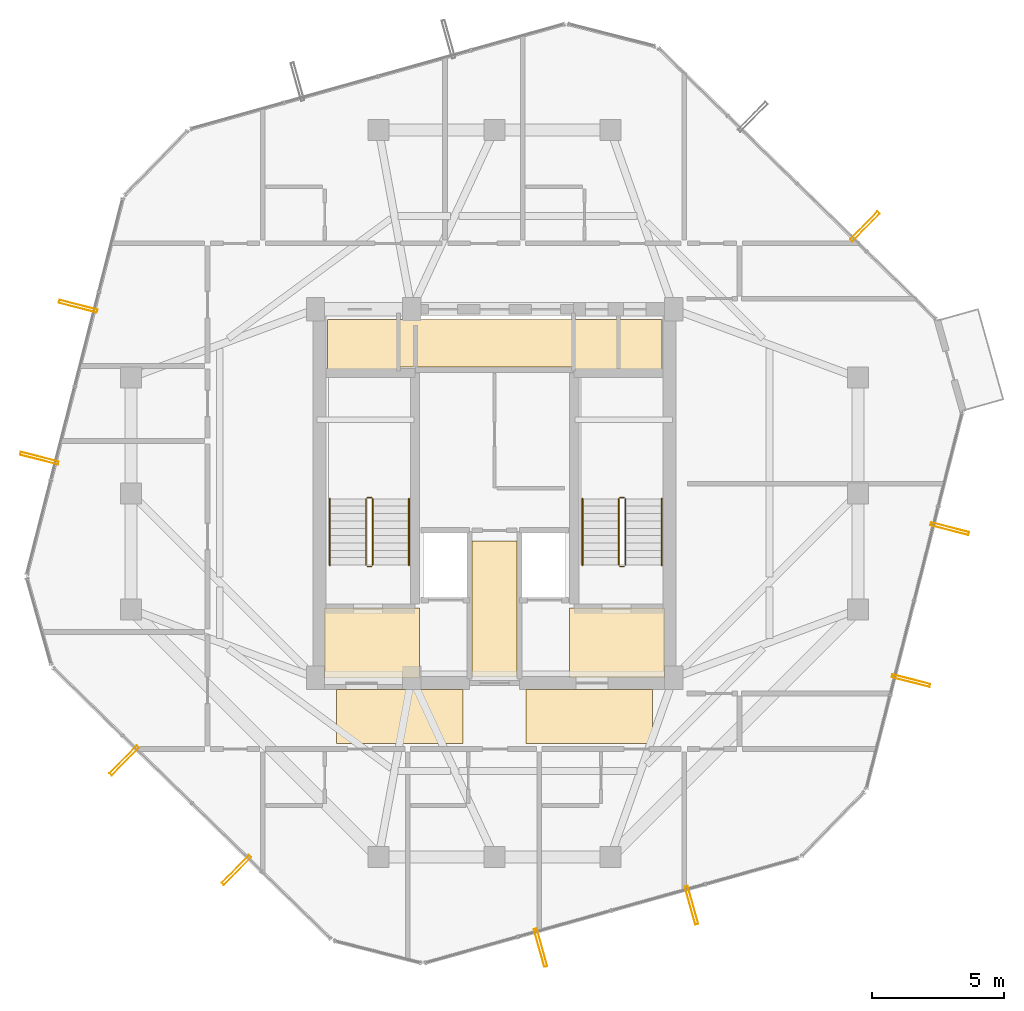
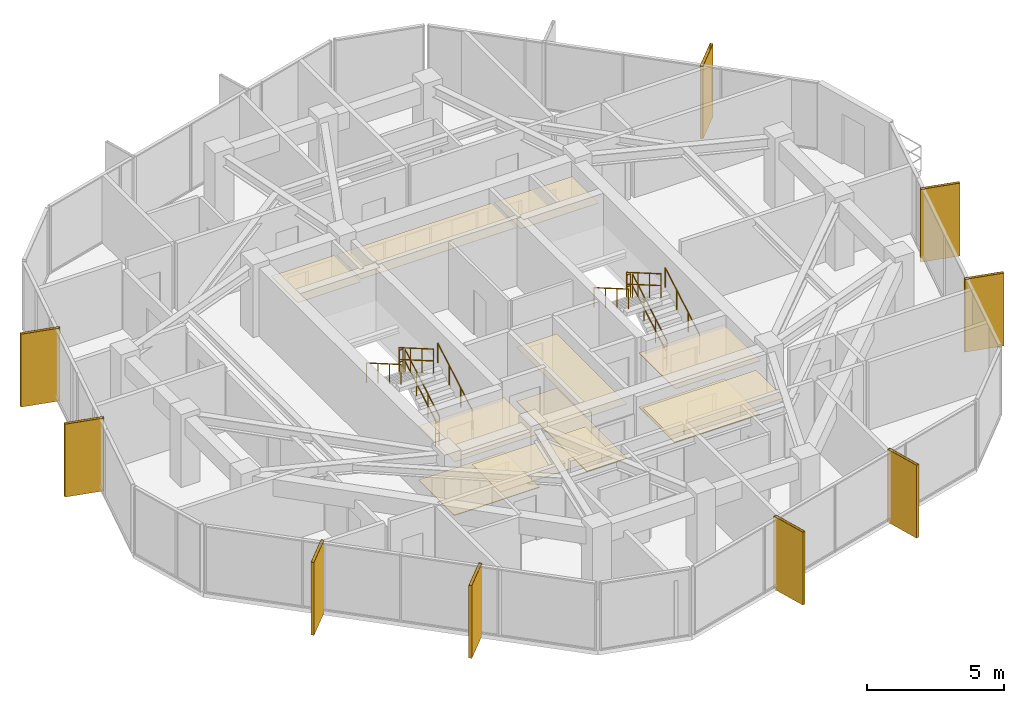
# One storey, part 28 of 29: 12 railings, 11 coverings, 9 shading devices.
"""IFC4 building model written with IfcOpenShell, lengths in metres."""

from ifc_helpers import new_model, si_unit, direction, frame, origin, origin_2d, place, context, subcontext, project, spatial, polyline, hollow_rectangle, circle, outline, extrude, material, layer, layer_set, material_profile, profile_set, type_object, element, save


model = new_model("IFC4")

# Units and contexts
model_context = context("Model", 3, precision=1e-05, world=origin(), true_north=direction((0.0, 1.0)))
body_context = subcontext(model_context, "Body", "Model", "MODEL_VIEW")
ifc_project = project(units=[si_unit("LENGTHUNIT", "METRE"), si_unit("AREAUNIT", "SQUARE_METRE"), si_unit("VOLUMEUNIT", "CUBIC_METRE"), si_unit("PLANEANGLEUNIT", "RADIAN"), si_unit("MASSUNIT", "GRAM", prefix="KILO")], contexts=[model_context])

# Site, building, storey
site_placement = place(None, origin())
site = spatial("IfcSite", under=ifc_project, at=site_placement, CompositionType="ELEMENT")
building_placement = place(site_placement, origin())
building = spatial("IfcBuilding", under=site, at=building_placement, Name="Veraguas Prism Commons", CompositionType="ELEMENT")
storey_placement = place(building_placement, frame((0.0, 0.0, 257.75)))
storey = spatial("IfcBuildingStorey", under=building, at=storey_placement, Name="L73", CompositionType="ELEMENT", Elevation=257.75)

# Shading devices
ifc_material_1 = material(Name="Anodised aluminium EN AW-6063 T6", Category="aluminium")
ifc_material_profile = material_profile(ifc_material_1, hollow_rectangle(XDim=0.1201171875, YDim=1.489990234375, WallThickness=0.006103515625, at=origin_2d()), Name="FIN120X1490X6")
ifc_profile_set = profile_set([ifc_material_profile], Name="Anodised aluminium EN AW-6063 T6")
shading_device_type = type_object("IfcShadingDeviceType", Name="Deep Pale-Metal Vertical Solar Fin 120x1490", PredefinedType="USERDEFINED", material=ifc_profile_set)
for number, where, z_axis, x_axis, name in (
    (1, (38.06298828125, 34.139404296875, -0.215087890625), (0.0, 0.0, 1.0), (-0.715447677779, 0.698666315462, 0.0), "Vertical Pale-Metal Solar Fin L73-F1A"),
    (2, (8.1875, 31.109130859375, -0.215087890625), (0.0, 0.0, 1.0), (-0.247333865765, -0.968930316816, 0.0), "Vertical Pale-Metal Solar Fin L73-F3A"),
    (3, (6.71484375, 25.339599609375, -0.215087890625), (0.0, 0.0, 1.0), (-0.247333865765, -0.968930316816, 0.0), "Vertical Pale-Metal Solar Fin L73-F3B"),
    (4, (9.93701171875, 13.860595703125, -0.215087890625), (0.0, 0.0, 1.0), (0.715447677779, -0.698666315462, 0.0), "Vertical Pale-Metal Solar Fin L73-F4A"),
    (5, (14.197265625, 9.700439453125, -0.215087890625), (0.0, 0.0, 1.0), (0.715447677779, -0.698666315462, 0.0), "Vertical Pale-Metal Solar Fin L73-F4B"),
    (6, (25.74951171875, 6.75146484375, -0.215087890625), (0.0, 0.0, 1.0), (0.962785201742, 0.27026774744, 0.0), "Vertical Pale-Metal Solar Fin L73-F5A"),
    (7, (31.482421875, 8.36083984375, -0.215087890625), (0.0, 0.0, 1.0), (0.962785201742, 0.27026774744, 0.0), "Vertical Pale-Metal Solar Fin L73-F5B"),
    (8, (39.8125, 16.890869140625, -0.215087890625), (0.0, 0.0, 1.0), (0.247333865765, 0.968930316816, 0.0), "Vertical Pale-Metal Solar Fin L73-F6A"),
    (9, (41.28515625, 22.660400390625, -0.215087890625), (0.0, 0.0, 1.0), (0.247333865765, 0.968930316816, 0.0), "Vertical Pale-Metal Solar Fin L73-F6B"),
):
    element("IfcShadingDevice", number, at=place(storey_placement, frame(where, z_axis=z_axis, x_axis=x_axis)), inside=storey, type_object=shading_device_type, Name=name, ObjectType="FIN", PredefinedType="USERDEFINED", context=body_context, shape_type="SweptSolid", body=[
        extrude(hollow_rectangle(XDim=0.1201171875, YDim=1.489990234375, WallThickness=0.006103515625, at=origin_2d()), origin(), (0.0, 0.0, 1.0), 3.25),
    ])

# Coverings
ifc_material_2 = material(Name="Acoustic gypsum board")
ifc_layer_1 = layer(ifc_material_2, 0.02490234375, Name="Perforated Acoustic Ceiling Tile 25")
ifc_layer_set_1 = layer_set([ifc_layer_1], Name="Acoustic gypsum board")
covering_type_1 = type_object("IfcCoveringType", Name="Perforated Acoustic Ceiling Tile 25", PredefinedType="USERDEFINED", material=ifc_layer_set_1)
covering_1_placement = place(storey_placement, frame((0.0, 0.0, 2.425048828125)))
element("IfcCovering", 10, at=covering_1_placement, inside=storey, type_object=covering_type_1, Name="East Lobby Acoustic Ceiling L73", ObjectType="ACOUSTIC CEILING", PredefinedType="USERDEFINED", context=body_context, shape_type="SweptSolid", body=[
    extrude(outline(polyline([(26.85009765625, 17.0), (30.449951171875, 17.0), (30.449951171875, 19.64990234375), (26.85009765625, 19.64990234375), (26.85009765625, 17.0)])), origin(), (0.0, 0.0, 1.0), 0.02490234375),
])
ifc_material_3 = material(Name="Terrazzo stone finish", Category="masonry")
ifc_layer_2 = layer(ifc_material_3, 0.030029296875, Name="Polished Terrazzo Floor Finish 30", Category="masonry")
ifc_layer_set_2 = layer_set([ifc_layer_2], Name="Terrazzo stone finish")
covering_type_2 = type_object("IfcCoveringType", Name="Polished Terrazzo Floor Finish 30", PredefinedType="FLOORING", material=ifc_layer_set_2)
covering_2_placement = place(storey_placement, origin())
element("IfcCovering", 11, at=covering_2_placement, inside=storey, type_object=covering_type_2, Name="Terrazzo Lobby Flooring L73", PredefinedType="FLOORING", context=body_context, shape_type="SweptSolid", body=[
    extrude(outline(polyline([(23.14990234375, 17.050048828125), (24.85009765625, 17.050048828125), (24.85009765625, 22.199951171875), (23.14990234375, 22.199951171875), (23.14990234375, 17.050048828125)])), origin(), (0.0, 0.0, 1.0), 0.030029296875),
])
covering_3_placement = place(storey_placement, origin())
element("IfcCovering", 12, at=covering_3_placement, inside=storey, type_object=covering_type_2, Name="West FF Lobby Terrazzo Flooring L73", PredefinedType="FLOORING", context=body_context, shape_type="SweptSolid", body=[
    extrude(outline(polyline([(17.550048828125, 17.050048828125), (21.14990234375, 17.050048828125), (21.14990234375, 19.64990234375), (17.550048828125, 19.64990234375), (17.550048828125, 17.050048828125)])), origin(), (0.0, 0.0, 1.0), 0.030029296875),
])
covering_4_placement = place(storey_placement, origin())
element("IfcCovering", 13, at=covering_4_placement, inside=storey, type_object=covering_type_2, Name="East FF Lobby Terrazzo Flooring L73", PredefinedType="FLOORING", context=body_context, shape_type="SweptSolid", body=[
    extrude(outline(polyline([(26.85009765625, 17.050048828125), (30.449951171875, 17.050048828125), (30.449951171875, 19.64990234375), (26.85009765625, 19.64990234375), (26.85009765625, 17.050048828125)])), origin(), (0.0, 0.0, 1.0), 0.030029296875),
])

# Railings
ifc_material_4 = material(Name="Stainless steel AISI 316", Category="steel")
railing_type_1 = type_object("IfcRailingType", Name="Stair and Ramp Stainless Handrail 900", PredefinedType="HANDRAIL", material=ifc_material_4)
railing_1_placement = place(storey_placement, frame((20.75, 21.280029296875, 0.16259765625)))
element("IfcRailing", 14, at=railing_1_placement, inside=storey, type_object=railing_type_1, Name="Stair Handrail ST-01 L73-1", PredefinedType="HANDRAIL", context=body_context, shape_type="SweptSolid", body=[
    extrude(circle(Radius=0.02392578125, at=origin_2d()), frame((0.0, 0.0, 0.8759765625), z_axis=(0.0, 0.864913338283, 0.50192122615), x_axis=(-1.0, 0.0, 0.0)), (0.0, 0.0, 1.0), 2.91357421875),
    extrude(circle(Radius=0.02099609375, at=origin_2d()), origin(), (0.0, 0.0, 1.0), 0.851806640625),
    extrude(circle(Radius=0.02099609375, at=origin_2d()), frame((0.0, 0.840087890625, 0.487548828125)), (0.0, 0.0, 1.0), 0.851806640625),
    extrude(circle(Radius=0.02099609375, at=origin_2d()), frame((0.0, 1.679931640625, 0.974853515625)), (0.0, 0.0, 1.0), 0.851806640625),
    extrude(circle(Radius=0.02099609375, at=origin_2d()), frame((0.0, 2.52001953125, 1.46240234375)), (0.0, 0.0, 1.0), 0.851806640625),
])
railing_2_placement = place(storey_placement, frame((17.739990234375, 23.800048828125, 1.78759765625)))
element("IfcRailing", 15, at=railing_2_placement, inside=storey, type_object=railing_type_1, Name="Stair Handrail ST-01 L73-2", PredefinedType="HANDRAIL", context=body_context, shape_type="SweptSolid", body=[
    extrude(circle(Radius=0.02392578125, at=origin_2d()), frame((0.0, 0.0, 0.8759765625), z_axis=(0.0, -0.864913338283, 0.50192122615), x_axis=(1.0, 0.0, 0.0)), (0.0, 0.0, 1.0), 2.91357421875),
    extrude(circle(Radius=0.02099609375, at=origin_2d()), origin(), (0.0, 0.0, 1.0), 0.851806640625),
    extrude(circle(Radius=0.02099609375, at=origin_2d()), frame((0.0, -0.840087890625, 0.487548828125)), (0.0, 0.0, 1.0), 0.851806640625),
    extrude(circle(Radius=0.02099609375, at=origin_2d()), frame((0.0, -1.679931640625, 0.974853515625)), (0.0, 0.0, 1.0), 0.851806640625),
    extrude(circle(Radius=0.02099609375, at=origin_2d()), frame((0.0, -2.52001953125, 1.46240234375)), (0.0, 0.0, 1.0), 0.851806640625),
])
railing_3_placement = place(storey_placement, frame((30.35009765625, 21.280029296875, 0.16259765625)))
element("IfcRailing", 16, at=railing_3_placement, inside=storey, type_object=railing_type_1, Name="Stair Handrail ST-02 L73-1", PredefinedType="HANDRAIL", context=body_context, shape_type="SweptSolid", body=[
    extrude(circle(Radius=0.02392578125, at=origin_2d()), frame((0.0, 0.0, 0.8759765625), z_axis=(0.0, 0.864913338283, 0.50192122615), x_axis=(-1.0, 0.0, 0.0)), (0.0, 0.0, 1.0), 2.91357421875),
    extrude(circle(Radius=0.02099609375, at=origin_2d()), origin(), (0.0, 0.0, 1.0), 0.851806640625),
    extrude(circle(Radius=0.02099609375, at=origin_2d()), frame((0.0, 0.840087890625, 0.487548828125)), (0.0, 0.0, 1.0), 0.851806640625),
    extrude(circle(Radius=0.02099609375, at=origin_2d()), frame((0.0, 1.679931640625, 0.974853515625)), (0.0, 0.0, 1.0), 0.851806640625),
    extrude(circle(Radius=0.02099609375, at=origin_2d()), frame((0.0, 2.52001953125, 1.46240234375)), (0.0, 0.0, 1.0), 0.851806640625),
])
railing_4_placement = place(storey_placement, frame((27.340087890625, 23.800048828125, 1.78759765625)))
element("IfcRailing", 17, at=railing_4_placement, inside=storey, type_object=railing_type_1, Name="Stair Handrail ST-02 L73-2", PredefinedType="HANDRAIL", context=body_context, shape_type="SweptSolid", body=[
    extrude(circle(Radius=0.02392578125, at=origin_2d()), frame((0.0, 0.0, 0.8759765625), z_axis=(0.0, -0.864913338283, 0.50192122615), x_axis=(1.0, 0.0, 0.0)), (0.0, 0.0, 1.0), 2.91357421875),
    extrude(circle(Radius=0.02099609375, at=origin_2d()), origin(), (0.0, 0.0, 1.0), 0.851806640625),
    extrude(circle(Radius=0.02099609375, at=origin_2d()), frame((0.0, -0.840087890625, 0.487548828125)), (0.0, 0.0, 1.0), 0.851806640625),
    extrude(circle(Radius=0.02099609375, at=origin_2d()), frame((0.0, -1.679931640625, 0.974853515625)), (0.0, 0.0, 1.0), 0.851806640625),
    extrude(circle(Radius=0.02099609375, at=origin_2d()), frame((0.0, -2.52001953125, 1.46240234375)), (0.0, 0.0, 1.0), 0.851806640625),
])
railing_type_2 = type_object("IfcRailingType", Name="Stairwell Safety Guardrail 1100", PredefinedType="GUARDRAIL", material=ifc_material_4)
railing_5_placement = place(storey_placement, frame((19.3701171875, 21.280029296875, 0.16259765625)))
element("IfcRailing", 18, at=railing_5_placement, inside=storey, type_object=railing_type_2, Name="Stair Guard ST-01 L73-1", PredefinedType="GUARDRAIL", context=body_context, shape_type="SweptSolid", body=[
    extrude(circle(Radius=0.02392578125, at=origin_2d()), frame((0.0, 0.0, 1.076171875), z_axis=(0.0, 0.864913338283, 0.50192122615), x_axis=(-1.0, 0.0, 0.0)), (0.0, 0.0, 1.0), 2.91357421875),
    extrude(circle(Radius=0.02392578125, at=origin_2d()), frame((0.0, 0.0, 0.550048828125), z_axis=(0.0, 0.864913338283, 0.50192122615), x_axis=(-1.0, 0.0, 0.0)), (0.0, 0.0, 1.0), 2.91357421875),
    extrude(circle(Radius=0.02099609375, at=origin_2d()), origin(), (0.0, 0.0, 1.0), 1.052001953125),
    extrude(circle(Radius=0.02099609375, at=origin_2d()), frame((0.0, 0.840087890625, 0.487548828125)), (0.0, 0.0, 1.0), 1.052001953125),
    extrude(circle(Radius=0.02099609375, at=origin_2d()), frame((0.0, 1.679931640625, 0.974853515625)), (0.0, 0.0, 1.0), 1.052001953125),
    extrude(circle(Radius=0.02099609375, at=origin_2d()), frame((0.0, 2.52001953125, 1.46240234375)), (0.0, 0.0, 1.0), 1.052001953125),
])
railing_6_placement = place(storey_placement, frame((19.320068359375, 23.85009765625, 1.625)))
element("IfcRailing", 19, at=railing_6_placement, inside=storey, type_object=railing_type_2, Name="Stair Guard ST-01 L73-2", PredefinedType="GUARDRAIL", context=body_context, shape_type="SweptSolid", body=[
    extrude(circle(Radius=0.02392578125, at=origin_2d()), frame((0.0, 0.0, 1.076171875), z_axis=(-1.0, 0.0, 0.0), x_axis=(0.0, -1.0, 0.0)), (0.0, 0.0, 1.0), 0.150146484375),
    extrude(circle(Radius=0.02392578125, at=origin_2d()), frame((0.0, 0.0, 0.550048828125), z_axis=(-1.0, 0.0, 0.0), x_axis=(0.0, -1.0, 0.0)), (0.0, 0.0, 1.0), 0.150146484375),
    extrude(circle(Radius=0.02099609375, at=origin_2d()), origin(), (0.0, 0.0, 1.0), 1.052001953125),
    extrude(circle(Radius=0.02099609375, at=origin_2d()), frame((-0.150146484375, 0.0, 0.0)), (0.0, 0.0, 1.0), 1.052001953125),
])
railing_7_placement = place(storey_placement, frame((19.1201171875, 23.800048828125, 1.78759765625)))
element("IfcRailing", 20, at=railing_7_placement, inside=storey, type_object=railing_type_2, Name="Stair Guard ST-01 L73-3", PredefinedType="GUARDRAIL", context=body_context, shape_type="SweptSolid", body=[
    extrude(circle(Radius=0.02392578125, at=origin_2d()), frame((0.0, 0.0, 1.076171875), z_axis=(0.0, -0.864913338283, 0.50192122615), x_axis=(1.0, 0.0, 0.0)), (0.0, 0.0, 1.0), 2.91357421875),
    extrude(circle(Radius=0.02392578125, at=origin_2d()), frame((0.0, 0.0, 0.550048828125), z_axis=(0.0, -0.864913338283, 0.50192122615), x_axis=(1.0, 0.0, 0.0)), (0.0, 0.0, 1.0), 2.91357421875),
    extrude(circle(Radius=0.02099609375, at=origin_2d()), origin(), (0.0, 0.0, 1.0), 1.052001953125),
    extrude(circle(Radius=0.02099609375, at=origin_2d()), frame((0.0, -0.840087890625, 0.487548828125)), (0.0, 0.0, 1.0), 1.052001953125),
    extrude(circle(Radius=0.02099609375, at=origin_2d()), frame((0.0, -1.679931640625, 0.974853515625)), (0.0, 0.0, 1.0), 1.052001953125),
    extrude(circle(Radius=0.02099609375, at=origin_2d()), frame((0.0, -2.52001953125, 1.46240234375)), (0.0, 0.0, 1.0), 1.052001953125),
])
railing_8_placement = place(storey_placement, frame((19.320068359375, 21.22998046875, 0.0)))
element("IfcRailing", 21, at=railing_8_placement, inside=storey, type_object=railing_type_2, Name="Stair Guard ST-01 L73-4", PredefinedType="GUARDRAIL", context=body_context, shape_type="SweptSolid", body=[
    extrude(circle(Radius=0.02392578125, at=origin_2d()), frame((0.0, 0.0, 1.076171875), z_axis=(-1.0, 0.0, 0.0), x_axis=(0.0, -1.0, 0.0)), (0.0, 0.0, 1.0), 0.150146484375),
    extrude(circle(Radius=0.02392578125, at=origin_2d()), frame((0.0, 0.0, 0.550048828125), z_axis=(-1.0, 0.0, 0.0), x_axis=(0.0, -1.0, 0.0)), (0.0, 0.0, 1.0), 0.150146484375),
    extrude(circle(Radius=0.02099609375, at=origin_2d()), origin(), (0.0, 0.0, 1.0), 1.052001953125),
    extrude(circle(Radius=0.02099609375, at=origin_2d()), frame((-0.150146484375, 0.0, 0.0)), (0.0, 0.0, 1.0), 1.052001953125),
])
railing_9_placement = place(storey_placement, frame((28.969970703125, 21.280029296875, 0.16259765625)))
element("IfcRailing", 22, at=railing_9_placement, inside=storey, type_object=railing_type_2, Name="Stair Guard ST-02 L73-1", PredefinedType="GUARDRAIL", context=body_context, shape_type="SweptSolid", body=[
    extrude(circle(Radius=0.02392578125, at=origin_2d()), frame((0.0, 0.0, 1.076171875), z_axis=(0.0, 0.864913338283, 0.50192122615), x_axis=(-1.0, 0.0, 0.0)), (0.0, 0.0, 1.0), 2.91357421875),
    extrude(circle(Radius=0.02392578125, at=origin_2d()), frame((0.0, 0.0, 0.550048828125), z_axis=(0.0, 0.864913338283, 0.50192122615), x_axis=(-1.0, 0.0, 0.0)), (0.0, 0.0, 1.0), 2.91357421875),
    extrude(circle(Radius=0.02099609375, at=origin_2d()), origin(), (0.0, 0.0, 1.0), 1.052001953125),
    extrude(circle(Radius=0.02099609375, at=origin_2d()), frame((0.0, 0.840087890625, 0.487548828125)), (0.0, 0.0, 1.0), 1.052001953125),
    extrude(circle(Radius=0.02099609375, at=origin_2d()), frame((0.0, 1.679931640625, 0.974853515625)), (0.0, 0.0, 1.0), 1.052001953125),
    extrude(circle(Radius=0.02099609375, at=origin_2d()), frame((0.0, 2.52001953125, 1.46240234375)), (0.0, 0.0, 1.0), 1.052001953125),
])
railing_10_placement = place(storey_placement, frame((28.919921875, 23.85009765625, 1.625)))
element("IfcRailing", 23, at=railing_10_placement, inside=storey, type_object=railing_type_2, Name="Stair Guard ST-02 L73-2", PredefinedType="GUARDRAIL", context=body_context, shape_type="SweptSolid", body=[
    extrude(circle(Radius=0.02392578125, at=origin_2d()), frame((0.0, 0.0, 1.076171875), z_axis=(-1.0, 0.0, 0.0), x_axis=(0.0, -1.0, 0.0)), (0.0, 0.0, 1.0), 0.14990234375),
    extrude(circle(Radius=0.02392578125, at=origin_2d()), frame((0.0, 0.0, 0.550048828125), z_axis=(-1.0, 0.0, 0.0), x_axis=(0.0, -1.0, 0.0)), (0.0, 0.0, 1.0), 0.14990234375),
    extrude(circle(Radius=0.02099609375, at=origin_2d()), origin(), (0.0, 0.0, 1.0), 1.052001953125),
    extrude(circle(Radius=0.02099609375, at=origin_2d()), frame((-0.14990234375, 0.0, 0.0)), (0.0, 0.0, 1.0), 1.052001953125),
])
railing_11_placement = place(storey_placement, frame((28.719970703125, 23.800048828125, 1.78759765625)))
element("IfcRailing", 24, at=railing_11_placement, inside=storey, type_object=railing_type_2, Name="Stair Guard ST-02 L73-3", PredefinedType="GUARDRAIL", context=body_context, shape_type="SweptSolid", body=[
    extrude(circle(Radius=0.02392578125, at=origin_2d()), frame((0.0, 0.0, 1.076171875), z_axis=(0.0, -0.864913338283, 0.50192122615), x_axis=(1.0, 0.0, 0.0)), (0.0, 0.0, 1.0), 2.91357421875),
    extrude(circle(Radius=0.02392578125, at=origin_2d()), frame((0.0, 0.0, 0.550048828125), z_axis=(0.0, -0.864913338283, 0.50192122615), x_axis=(1.0, 0.0, 0.0)), (0.0, 0.0, 1.0), 2.91357421875),
    extrude(circle(Radius=0.02099609375, at=origin_2d()), origin(), (0.0, 0.0, 1.0), 1.052001953125),
    extrude(circle(Radius=0.02099609375, at=origin_2d()), frame((0.0, -0.840087890625, 0.487548828125)), (0.0, 0.0, 1.0), 1.052001953125),
    extrude(circle(Radius=0.02099609375, at=origin_2d()), frame((0.0, -1.679931640625, 0.974853515625)), (0.0, 0.0, 1.0), 1.052001953125),
    extrude(circle(Radius=0.02099609375, at=origin_2d()), frame((0.0, -2.52001953125, 1.46240234375)), (0.0, 0.0, 1.0), 1.052001953125),
])
railing_12_placement = place(storey_placement, frame((28.919921875, 21.22998046875, 0.0)))
element("IfcRailing", 25, at=railing_12_placement, inside=storey, type_object=railing_type_2, Name="Stair Guard ST-02 L73-4", PredefinedType="GUARDRAIL", context=body_context, shape_type="SweptSolid", body=[
    extrude(circle(Radius=0.02392578125, at=origin_2d()), frame((0.0, 0.0, 1.076171875), z_axis=(-1.0, 0.0, 0.0), x_axis=(0.0, -1.0, 0.0)), (0.0, 0.0, 1.0), 0.14990234375),
    extrude(circle(Radius=0.02392578125, at=origin_2d()), frame((0.0, 0.0, 0.550048828125), z_axis=(-1.0, 0.0, 0.0), x_axis=(0.0, -1.0, 0.0)), (0.0, 0.0, 1.0), 0.14990234375),
    extrude(circle(Radius=0.02099609375, at=origin_2d()), origin(), (0.0, 0.0, 1.0), 1.052001953125),
    extrude(circle(Radius=0.02099609375, at=origin_2d()), frame((-0.14990234375, 0.0, 0.0)), (0.0, 0.0, 1.0), 1.052001953125),
])

# Coverings
ifc_layer_3 = layer(ifc_material_2, 0.02001953125, Name="Suspended Gypsum Ceiling 20")
ifc_layer_set_3 = layer_set([ifc_layer_3], Name="Acoustic gypsum board")
covering_type_3 = type_object("IfcCoveringType", Name="Suspended Gypsum Ceiling 20", PredefinedType="CEILING", material=ifc_layer_set_3)
covering_5_placement = place(storey_placement, frame((0.0, 0.0, 2.429931640625)))
element("IfcCovering", 26, at=covering_5_placement, inside=storey, type_object=covering_type_3, Name="West Lobby Suspended Gypsum Ceiling L73", PredefinedType="CEILING", context=body_context, shape_type="SweptSolid", body=[
    extrude(outline(polyline([(17.550048828125, 17.0), (21.14990234375, 17.0), (21.14990234375, 19.64990234375), (17.550048828125, 19.64990234375), (17.550048828125, 17.0)])), origin(), (0.0, 0.0, 1.0), 0.02001953125),
])
covering_6_placement = place(storey_placement, frame((0.0, 0.0, 2.429931640625)))
element("IfcCovering", 27, at=covering_6_placement, inside=storey, type_object=covering_type_3, Name="Core Lobby Acoustic Ceiling L73-1", PredefinedType="CEILING", context=body_context, shape_type="SweptSolid", body=[
    extrude(outline(polyline([(18.0, 14.5), (22.800048828125, 14.5), (22.800048828125, 16.550048828125), (18.0, 16.550048828125), (18.0, 14.5)])), origin(), (0.0, 0.0, 1.0), 0.02001953125),
])
covering_7_placement = place(storey_placement, frame((0.0, 0.0, 2.429931640625)))
element("IfcCovering", 28, at=covering_7_placement, inside=storey, type_object=covering_type_3, Name="Core Lobby Acoustic Ceiling L73-2", PredefinedType="CEILING", context=body_context, shape_type="SweptSolid", body=[
    extrude(outline(polyline([(25.199951171875, 14.5), (30.0, 14.5), (30.0, 16.550048828125), (25.199951171875, 16.550048828125), (25.199951171875, 14.5)])), origin(), (0.0, 0.0, 1.0), 0.02001953125),
])
covering_8_placement = place(storey_placement, frame((0.0, 0.0, 2.429931640625)))
element("IfcCovering", 29, at=covering_8_placement, inside=storey, type_object=covering_type_3, Name="Core Lobby Acoustic Ceiling L73-3", PredefinedType="CEILING", context=body_context, shape_type="SweptSolid", body=[
    extrude(outline(polyline([(23.14990234375, 17.050048828125), (24.85009765625, 17.050048828125), (24.85009765625, 22.199951171875), (23.14990234375, 22.199951171875), (23.14990234375, 17.050048828125)])), origin(), (0.0, 0.0, 1.0), 0.02001953125),
])
covering_9_placement = place(storey_placement, frame((0.0, 0.0, 2.429931640625)))
element("IfcCovering", 30, at=covering_9_placement, inside=storey, type_object=covering_type_3, Name="Core Lobby Acoustic Ceiling L73-4", PredefinedType="CEILING", context=body_context, shape_type="SweptSolid", body=[
    extrude(outline(polyline([(17.64990234375, 28.64990234375), (20.300048828125, 28.64990234375), (20.300048828125, 30.60009765625), (17.64990234375, 30.60009765625), (17.64990234375, 28.64990234375)])), origin(), (0.0, 0.0, 1.0), 0.02001953125),
])
covering_10_placement = place(storey_placement, frame((0.0, 0.0, 2.429931640625)))
element("IfcCovering", 31, at=covering_10_placement, inside=storey, type_object=covering_type_3, Name="Core Lobby Acoustic Ceiling L73-5", PredefinedType="CEILING", context=body_context, shape_type="SweptSolid", body=[
    extrude(outline(polyline([(27.050048828125, 28.64990234375), (30.35009765625, 28.64990234375), (30.35009765625, 30.60009765625), (27.050048828125, 30.60009765625), (27.050048828125, 28.64990234375)])), origin(), (0.0, 0.0, 1.0), 0.02001953125),
])
covering_11_placement = place(storey_placement, frame((0.0, 0.0, 2.429931640625)))
element("IfcCovering", 32, at=covering_11_placement, inside=storey, type_object=covering_type_3, Name="Core Lobby Acoustic Ceiling L73-6", PredefinedType="CEILING", context=body_context, shape_type="SweptSolid", body=[
    extrude(outline(polyline([(20.39990234375, 28.800048828125), (26.949951171875, 28.800048828125), (26.949951171875, 30.60009765625), (20.39990234375, 30.60009765625), (20.39990234375, 28.800048828125)])), origin(), (0.0, 0.0, 1.0), 0.02001953125),
])

save(model, "model.ifc")
